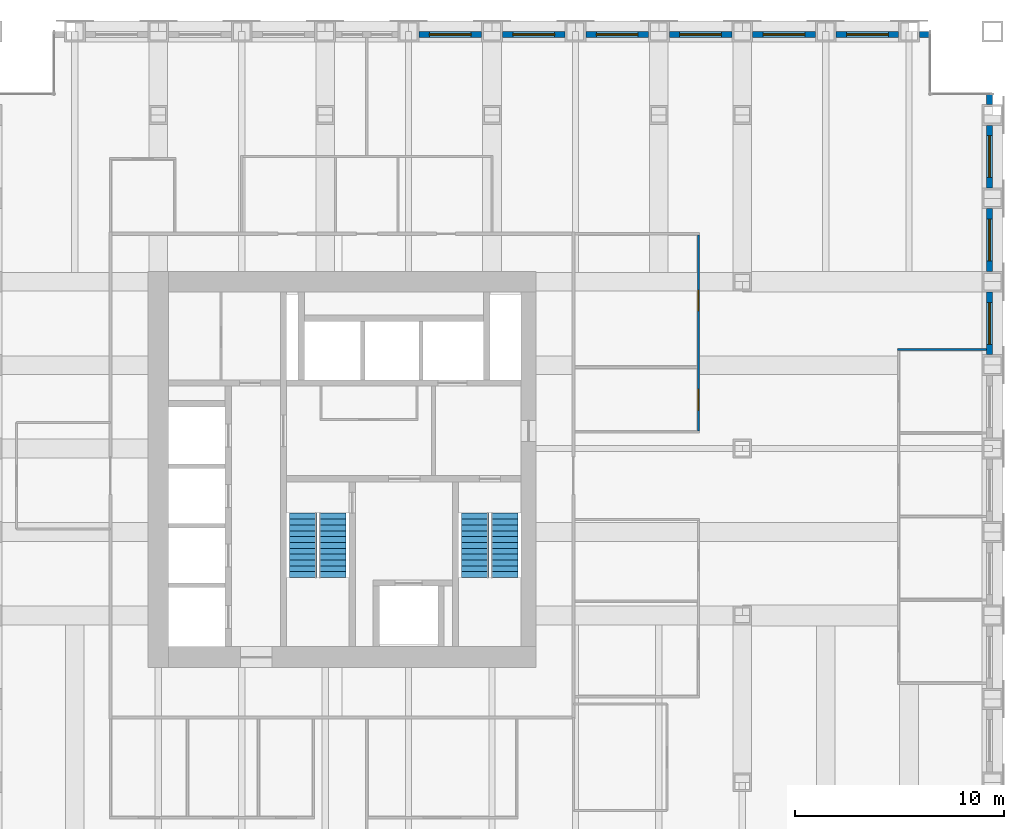
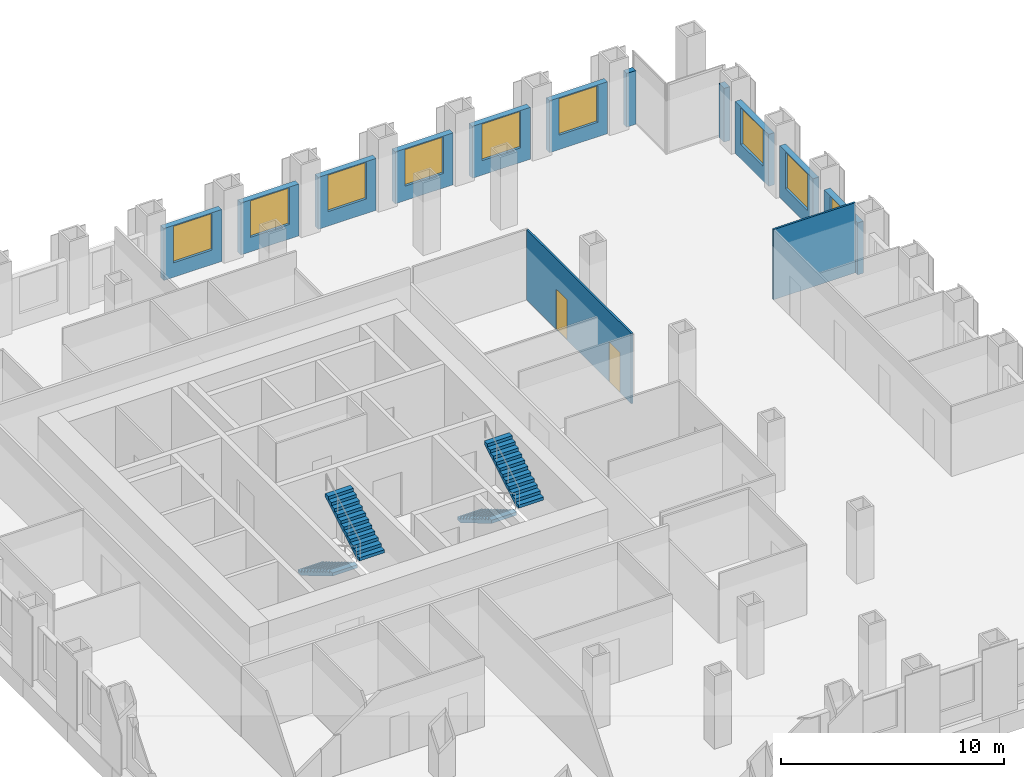
# One storey, part 14 of 16: 13 walls, 9 windows, 4 stair flights, 2 doors, 11 openings, 2 elements without a shape of their own.
"""IFC4 building model written with IfcOpenShell, lengths in metres."""

from ifc_helpers import new_model, si_unit, direction, frame, frame_2d, origin, place, context, subcontext, project, spatial, polyline, rectangle, outline, extrude, material, layer, layer_set, type_object, element, fill, aggregate, save


model = new_model("IFC4")

# Units and contexts
model_context = context("Model", 3, precision=1e-05, world=origin(), true_north=direction((0.0, 1.0)))
body_context = subcontext(model_context, "Body", "Model", "MODEL_VIEW")
ifc_project = project(units=[si_unit("LENGTHUNIT", "METRE"), si_unit("AREAUNIT", "SQUARE_METRE"), si_unit("VOLUMEUNIT", "CUBIC_METRE"), si_unit("PLANEANGLEUNIT", "RADIAN"), si_unit("MASSUNIT", "GRAM", prefix="KILO")], contexts=[model_context])

# Site, building, storey
site_placement = place(None, origin())
site = spatial("IfcSite", under=ifc_project, at=site_placement, CompositionType="ELEMENT")
building_placement = place(site_placement, origin())
building = spatial("IfcBuilding", under=site, at=building_placement, Name="Rimbunsela Tower", CompositionType="ELEMENT")
storey_placement = place(building_placement, frame((0.0, 0.0, 81.39990234375)))
storey = spatial("IfcBuildingStorey", under=building, at=storey_placement, Name="L19", CompositionType="ELEMENT", Elevation=81.39990234375)

# Wall
ifc_material_1 = material(Name="Gypsum board on steel studs", Category="steel")
ifc_layer_1 = layer(ifc_material_1, 0.10009765625)
ifc_layer_set_1 = layer_set([ifc_layer_1], Name="Office partition 100")
wall_type_1 = type_object("IfcWallType", Name="Office partition 100", PredefinedType="PARTITIONING", material=ifc_layer_set_1)
wall_1_placement = place(storey_placement, frame((53.449951171875, 32.75, 0.0), z_axis=(0.0, 0.0, 1.0), x_axis=(1.0, 0.0, 0.0)))
element("IfcWall", 1, at=wall_1_placement, inside=storey, type_object=wall_type_1, Name="Office partition", PredefinedType="PARTITIONING", context=body_context, shape_type="SweptSolid", body=[
    extrude(rectangle(XDim=4.25, YDim=0.10009765625, at=frame_2d((2.125, 0.0))), origin(), (0.0, 0.0, 1.0), 3.85009765625),
])

# Wall, openings, doors
wall_2_placement = place(storey_placement, frame((43.89990234375, 28.85009765625, 0.0), z_axis=(0.0, 0.0, 1.0), x_axis=(0.0, 1.0, 0.0)))
wall_2 = element("IfcWall", 2, at=wall_2_placement, inside=storey, type_object=wall_type_1, Name="Office partition", PredefinedType="PARTITIONING", context=body_context, shape_type="SweptSolid", body=[
    extrude(rectangle(XDim=9.39990234375, YDim=0.10009765625, at=frame_2d((4.699951171875, 0.0))), origin(), (0.0, 0.0, 1.0), 3.85009765625),
])
opening_1_placement = place(wall_2_placement, frame((1.0, 0.0, 0.0)))
opening_1 = element("IfcOpeningElement", 3, at=opening_1_placement, cuts=wall_2, Name="Opening D16", PredefinedType="OPENING", context=body_context, shape_type="SweptSolid", body=[
    extrude(rectangle(XDim=1.0, YDim=2.199951171875, at=frame_2d((0.5, 1.10009765625))), frame((0.0, 0.06005859375, 0.0), z_axis=(0.0, -1.0, 0.0), x_axis=(1.0, 0.0, 0.0)), (0.0, 0.0, 1.0), 0.1201171875),
])
opening_2_placement = place(wall_2_placement, frame((5.75, 0.0, 0.0)))
opening_2 = element("IfcOpeningElement", 4, at=opening_2_placement, cuts=wall_2, Name="Opening D17", PredefinedType="OPENING", context=body_context, shape_type="SweptSolid", body=[
    extrude(rectangle(XDim=1.0, YDim=2.199951171875, at=frame_2d((0.5, 1.10009765625))), frame((0.0, 0.06005859375, 0.0), z_axis=(0.0, -1.0, 0.0), x_axis=(1.0, 0.0, 0.0)), (0.0, 0.0, 1.0), 0.1201171875),
])
ifc_material_2 = material(Name="Glazed aluminium door", Category="aluminium")
door_type_1 = type_object("IfcDoorType", Name="Meeting room door 1000 glazed", OperationType="SINGLE_SWING_RIGHT", PredefinedType="DOOR", material=ifc_material_2)
door_1_placement = place(opening_2_placement, origin())
door_1 = element("IfcDoor", 5, at=door_1_placement, inside=storey, type_object=door_type_1, Name="Meeting room door", OperationType="SINGLE_SWING_RIGHT", OverallHeight=2.199951171875, OverallWidth=1.0, PredefinedType="DOOR", context=body_context, shape_type="SweptSolid", body=[
    extrude(rectangle(XDim=1.0, YDim=2.199951171875, at=frame_2d((0.5, 1.10009765625))), frame((0.0, 0.02490234375, 0.0), z_axis=(0.0, -1.0, 0.0), x_axis=(1.0, 0.0, 0.0)), (0.0, 0.0, 1.0), 0.050048828125),
])
fill(opening_2, door_1)
ifc_material_3 = material(Name="Timber door", Category="wood")
door_type_2 = type_object("IfcDoorType", Name="Office door 1000", OperationType="SINGLE_SWING_LEFT", PredefinedType="DOOR", material=ifc_material_3)
door_2_placement = place(opening_1_placement, origin())
door_2 = element("IfcDoor", 6, at=door_2_placement, inside=storey, type_object=door_type_2, Name="Office door", OperationType="SINGLE_SWING_LEFT", OverallHeight=2.199951171875, OverallWidth=1.0, PredefinedType="DOOR", context=body_context, shape_type="SweptSolid", body=[
    extrude(rectangle(XDim=1.0, YDim=2.199951171875, at=frame_2d((0.5, 1.10009765625))), frame((0.0, 0.02490234375, 0.0), z_axis=(0.0, -1.0, 0.0), x_axis=(1.0, 0.0, 0.0)), (0.0, 0.0, 1.0), 0.050048828125),
])
fill(opening_1, door_2)

# Wall, opening, window
ifc_material_4 = material(Name="Precast concrete fc' 35 MPa", Category="concrete")
ifc_layer_2 = layer(ifc_material_4, 0.300048828125)
ifc_layer_set_2 = layer_set([ifc_layer_2], Name="Precast concrete fc' 35 MPa")
wall_type_2 = type_object("IfcWallType", Name="Precast facade panel 300", PredefinedType="ELEMENTEDWALL", material=ifc_layer_set_2)
wall_3_placement = place(storey_placement, frame((57.85009765625, 32.5, 0.0), z_axis=(0.0, 0.0, 1.0), x_axis=(0.0, 1.0, 0.0)))
wall_3 = element("IfcWall", 7, at=wall_3_placement, inside=storey, type_object=wall_type_2, Name="Facade panel E L19", PredefinedType="ELEMENTEDWALL", context=body_context, shape_type="SweptSolid", body=[
    extrude(rectangle(XDim=3.0, YDim=0.300048828125, at=frame_2d((1.5, 0.0))), origin(), (0.0, 0.0, 1.0), 2.85009765625),
])
opening_3_placement = place(wall_3_placement, frame((0.5, 0.0, 0.800048828125)))
opening_3 = element("IfcOpeningElement", 8, at=opening_3_placement, cuts=wall_3, Name="Opening W1", PredefinedType="OPENING", context=body_context, shape_type="SweptSolid", body=[
    extrude(rectangle(XDim=2.0, YDim=2.0, at=frame_2d((1.0, 1.0))), frame((0.0, 0.159912109375, 0.0), z_axis=(0.0, -1.0, 0.0), x_axis=(1.0, 0.0, 0.0)), (0.0, 0.0, 1.0), 0.320068359375),
])
ifc_material_5 = material(Name="Clear glass in aluminium frame", Category="aluminium")
window_type = type_object("IfcWindowType", Name="Window W1 2000x2000", PartitioningType="DOUBLE_PANEL_VERTICAL", PredefinedType="WINDOW", material=ifc_material_5)
window_1_placement = place(opening_3_placement, origin())
window_1 = element("IfcWindow", 9, at=window_1_placement, inside=storey, type_object=window_type, Name="Window L19", OverallHeight=2.0, OverallWidth=2.0, PartitioningType="SINGLE_PANEL", PredefinedType="WINDOW", context=body_context, shape_type="SweptSolid", body=[
    extrude(rectangle(XDim=2.0, YDim=2.0, at=frame_2d((1.0, 1.0))), frame((0.0, 0.030029296875, 0.0), z_axis=(0.0, -1.0, 0.0), x_axis=(1.0, 0.0, 0.0)), (0.0, 0.0, 1.0), 0.06005859375),
])
fill(opening_3, window_1)

wall_4_placement = place(storey_placement, frame((57.85009765625, 36.5, 0.0), z_axis=(0.0, 0.0, 1.0), x_axis=(0.0, 1.0, 0.0)))
wall_4 = element("IfcWall", 10, at=wall_4_placement, inside=storey, type_object=wall_type_2, Name="Facade panel E L19", PredefinedType="ELEMENTEDWALL", context=body_context, shape_type="SweptSolid", body=[
    extrude(rectangle(XDim=3.0, YDim=0.300048828125, at=frame_2d((1.5, 0.0))), origin(), (0.0, 0.0, 1.0), 2.85009765625),
])
opening_4_placement = place(wall_4_placement, frame((0.5, 0.0, 0.800048828125)))
opening_4 = element("IfcOpeningElement", 11, at=opening_4_placement, cuts=wall_4, Name="Opening W1", PredefinedType="OPENING", context=body_context, shape_type="SweptSolid", body=[
    extrude(rectangle(XDim=2.0, YDim=2.0, at=frame_2d((1.0, 1.0))), frame((0.0, 0.159912109375, 0.0), z_axis=(0.0, -1.0, 0.0), x_axis=(1.0, 0.0, 0.0)), (0.0, 0.0, 1.0), 0.320068359375),
])
window_2_placement = place(opening_4_placement, origin())
window_2 = element("IfcWindow", 12, at=window_2_placement, inside=storey, type_object=window_type, Name="Window L19", OverallHeight=2.0, OverallWidth=2.0, PartitioningType="SINGLE_PANEL", PredefinedType="WINDOW", context=body_context, shape_type="SweptSolid", body=[
    extrude(rectangle(XDim=2.0, YDim=2.0, at=frame_2d((1.0, 1.0))), frame((0.0, 0.030029296875, 0.0), z_axis=(0.0, -1.0, 0.0), x_axis=(1.0, 0.0, 0.0)), (0.0, 0.0, 1.0), 0.06005859375),
])
fill(opening_4, window_2)

wall_5_placement = place(storey_placement, frame((57.85009765625, 40.5, 0.0), z_axis=(0.0, 0.0, 1.0), x_axis=(0.0, 1.0, 0.0)))
wall_5 = element("IfcWall", 13, at=wall_5_placement, inside=storey, type_object=wall_type_2, Name="Facade panel E L19", PredefinedType="ELEMENTEDWALL", context=body_context, shape_type="SweptSolid", body=[
    extrude(rectangle(XDim=3.0, YDim=0.300048828125, at=frame_2d((1.5, 0.0))), origin(), (0.0, 0.0, 1.0), 2.85009765625),
])
opening_5_placement = place(wall_5_placement, frame((0.5, 0.0, 0.800048828125)))
opening_5 = element("IfcOpeningElement", 14, at=opening_5_placement, cuts=wall_5, Name="Opening W1", PredefinedType="OPENING", context=body_context, shape_type="SweptSolid", body=[
    extrude(rectangle(XDim=2.0, YDim=2.0, at=frame_2d((1.0, 1.0))), frame((0.0, 0.159912109375, 0.0), z_axis=(0.0, -1.0, 0.0), x_axis=(1.0, 0.0, 0.0)), (0.0, 0.0, 1.0), 0.320068359375),
])
window_3_placement = place(opening_5_placement, origin())
window_3 = element("IfcWindow", 15, at=window_3_placement, inside=storey, type_object=window_type, Name="Window L19", OverallHeight=2.0, OverallWidth=2.0, PartitioningType="SINGLE_PANEL", PredefinedType="WINDOW", context=body_context, shape_type="SweptSolid", body=[
    extrude(rectangle(XDim=2.0, YDim=2.0, at=frame_2d((1.0, 1.0))), frame((0.0, 0.030029296875, 0.0), z_axis=(0.0, -1.0, 0.0), x_axis=(1.0, 0.0, 0.0)), (0.0, 0.0, 1.0), 0.06005859375),
])
fill(opening_5, window_3)

# Wall
wall_6_placement = place(storey_placement, frame((57.85009765625, 44.5, 0.0), z_axis=(0.0, 0.0, 1.0), x_axis=(0.0, 1.0, 0.0)))
element("IfcWall", 16, at=wall_6_placement, inside=storey, type_object=wall_type_2, Name="Facade panel E L19", PredefinedType="ELEMENTEDWALL", context=body_context, shape_type="SweptSolid", body=[
    extrude(rectangle(XDim=0.469970703125, YDim=0.300048828125, at=frame_2d((0.23486328125, 0.0))), origin(), (0.0, 0.0, 1.0), 2.9501953125),
])

# Wall, opening, window
wall_7_placement = place(storey_placement, frame((33.5, 47.85009765625, 0.0), z_axis=(0.0, 0.0, 1.0), x_axis=(-1.0, 0.0, 0.0)))
wall_7 = element("IfcWall", 17, at=wall_7_placement, inside=storey, type_object=wall_type_2, Name="Facade panel N L19", PredefinedType="ELEMENTEDWALL", context=body_context, shape_type="SweptSolid", body=[
    extrude(rectangle(XDim=3.0, YDim=0.300048828125, at=frame_2d((1.5, 0.0))), origin(), (0.0, 0.0, 1.0), 2.85009765625),
])
opening_6_placement = place(wall_7_placement, frame((0.5, 0.0, 0.800048828125)))
opening_6 = element("IfcOpeningElement", 18, at=opening_6_placement, cuts=wall_7, Name="Opening W1", PredefinedType="OPENING", context=body_context, shape_type="SweptSolid", body=[
    extrude(rectangle(XDim=2.0, YDim=2.0, at=frame_2d((1.0, 1.0))), frame((0.0, 0.159912109375, 0.0), z_axis=(0.0, -1.0, 0.0), x_axis=(1.0, 0.0, 0.0)), (0.0, 0.0, 1.0), 0.320068359375),
])
window_4_placement = place(opening_6_placement, origin())
window_4 = element("IfcWindow", 19, at=window_4_placement, inside=storey, type_object=window_type, Name="Window L19", OverallHeight=2.0, OverallWidth=2.0, PartitioningType="SINGLE_PANEL", PredefinedType="WINDOW", context=body_context, shape_type="SweptSolid", body=[
    extrude(rectangle(XDim=2.0, YDim=2.0, at=frame_2d((1.0, 1.0))), frame((0.0, 0.030029296875, 0.0), z_axis=(0.0, -1.0, 0.0), x_axis=(1.0, 0.0, 0.0)), (0.0, 0.0, 1.0), 0.06005859375),
])
fill(opening_6, window_4)

wall_8_placement = place(storey_placement, frame((37.5, 47.85009765625, 0.0), z_axis=(0.0, 0.0, 1.0), x_axis=(-1.0, 0.0, 0.0)))
wall_8 = element("IfcWall", 20, at=wall_8_placement, inside=storey, type_object=wall_type_2, Name="Facade panel N L19", PredefinedType="ELEMENTEDWALL", context=body_context, shape_type="SweptSolid", body=[
    extrude(rectangle(XDim=3.0, YDim=0.300048828125, at=frame_2d((1.5, 0.0))), origin(), (0.0, 0.0, 1.0), 2.85009765625),
])
opening_7_placement = place(wall_8_placement, frame((0.5, 0.0, 0.800048828125)))
opening_7 = element("IfcOpeningElement", 21, at=opening_7_placement, cuts=wall_8, Name="Opening W1", PredefinedType="OPENING", context=body_context, shape_type="SweptSolid", body=[
    extrude(rectangle(XDim=2.0, YDim=2.0, at=frame_2d((1.0, 1.0))), frame((0.0, 0.159912109375, 0.0), z_axis=(0.0, -1.0, 0.0), x_axis=(1.0, 0.0, 0.0)), (0.0, 0.0, 1.0), 0.320068359375),
])
window_5_placement = place(opening_7_placement, origin())
window_5 = element("IfcWindow", 22, at=window_5_placement, inside=storey, type_object=window_type, Name="Window L19", OverallHeight=2.0, OverallWidth=2.0, PartitioningType="SINGLE_PANEL", PredefinedType="WINDOW", context=body_context, shape_type="SweptSolid", body=[
    extrude(rectangle(XDim=2.0, YDim=2.0, at=frame_2d((1.0, 1.0))), frame((0.0, 0.030029296875, 0.0), z_axis=(0.0, -1.0, 0.0), x_axis=(1.0, 0.0, 0.0)), (0.0, 0.0, 1.0), 0.06005859375),
])
fill(opening_7, window_5)

wall_9_placement = place(storey_placement, frame((41.5, 47.85009765625, 0.0), z_axis=(0.0, 0.0, 1.0), x_axis=(-1.0, 0.0, 0.0)))
wall_9 = element("IfcWall", 23, at=wall_9_placement, inside=storey, type_object=wall_type_2, Name="Facade panel N L19", PredefinedType="ELEMENTEDWALL", context=body_context, shape_type="SweptSolid", body=[
    extrude(rectangle(XDim=3.0, YDim=0.300048828125, at=frame_2d((1.5, 0.0))), origin(), (0.0, 0.0, 1.0), 2.85009765625),
])
opening_8_placement = place(wall_9_placement, frame((0.5, 0.0, 0.800048828125)))
opening_8 = element("IfcOpeningElement", 24, at=opening_8_placement, cuts=wall_9, Name="Opening W1", PredefinedType="OPENING", context=body_context, shape_type="SweptSolid", body=[
    extrude(rectangle(XDim=2.0, YDim=2.0, at=frame_2d((1.0, 1.0))), frame((0.0, 0.159912109375, 0.0), z_axis=(0.0, -1.0, 0.0), x_axis=(1.0, 0.0, 0.0)), (0.0, 0.0, 1.0), 0.320068359375),
])
window_6_placement = place(opening_8_placement, origin())
window_6 = element("IfcWindow", 25, at=window_6_placement, inside=storey, type_object=window_type, Name="Window L19", OverallHeight=2.0, OverallWidth=2.0, PartitioningType="SINGLE_PANEL", PredefinedType="WINDOW", context=body_context, shape_type="SweptSolid", body=[
    extrude(rectangle(XDim=2.0, YDim=2.0, at=frame_2d((1.0, 1.0))), frame((0.0, 0.030029296875, 0.0), z_axis=(0.0, -1.0, 0.0), x_axis=(1.0, 0.0, 0.0)), (0.0, 0.0, 1.0), 0.06005859375),
])
fill(opening_8, window_6)

wall_10_placement = place(storey_placement, frame((45.5, 47.85009765625, 0.0), z_axis=(0.0, 0.0, 1.0), x_axis=(-1.0, 0.0, 0.0)))
wall_10 = element("IfcWall", 26, at=wall_10_placement, inside=storey, type_object=wall_type_2, Name="Facade panel N L19", PredefinedType="ELEMENTEDWALL", context=body_context, shape_type="SweptSolid", body=[
    extrude(rectangle(XDim=3.0, YDim=0.300048828125, at=frame_2d((1.5, 0.0))), origin(), (0.0, 0.0, 1.0), 2.85009765625),
])
opening_9_placement = place(wall_10_placement, frame((0.5, 0.0, 0.800048828125)))
opening_9 = element("IfcOpeningElement", 27, at=opening_9_placement, cuts=wall_10, Name="Opening W1", PredefinedType="OPENING", context=body_context, shape_type="SweptSolid", body=[
    extrude(rectangle(XDim=2.0, YDim=2.0, at=frame_2d((1.0, 1.0))), frame((0.0, 0.159912109375, 0.0), z_axis=(0.0, -1.0, 0.0), x_axis=(1.0, 0.0, 0.0)), (0.0, 0.0, 1.0), 0.320068359375),
])
window_7_placement = place(opening_9_placement, origin())
window_7 = element("IfcWindow", 28, at=window_7_placement, inside=storey, type_object=window_type, Name="Window L19", OverallHeight=2.0, OverallWidth=2.0, PartitioningType="SINGLE_PANEL", PredefinedType="WINDOW", context=body_context, shape_type="SweptSolid", body=[
    extrude(rectangle(XDim=2.0, YDim=2.0, at=frame_2d((1.0, 1.0))), frame((0.0, 0.030029296875, 0.0), z_axis=(0.0, -1.0, 0.0), x_axis=(1.0, 0.0, 0.0)), (0.0, 0.0, 1.0), 0.06005859375),
])
fill(opening_9, window_7)

wall_11_placement = place(storey_placement, frame((49.5, 47.85009765625, 0.0), z_axis=(0.0, 0.0, 1.0), x_axis=(-1.0, 0.0, 0.0)))
wall_11 = element("IfcWall", 29, at=wall_11_placement, inside=storey, type_object=wall_type_2, Name="Facade panel N L19", PredefinedType="ELEMENTEDWALL", context=body_context, shape_type="SweptSolid", body=[
    extrude(rectangle(XDim=3.0, YDim=0.300048828125, at=frame_2d((1.5, 0.0))), origin(), (0.0, 0.0, 1.0), 2.85009765625),
])
opening_10_placement = place(wall_11_placement, frame((0.5, 0.0, 0.800048828125)))
opening_10 = element("IfcOpeningElement", 30, at=opening_10_placement, cuts=wall_11, Name="Opening W1", PredefinedType="OPENING", context=body_context, shape_type="SweptSolid", body=[
    extrude(rectangle(XDim=2.0, YDim=2.0, at=frame_2d((1.0, 1.0))), frame((0.0, 0.159912109375, 0.0), z_axis=(0.0, -1.0, 0.0), x_axis=(1.0, 0.0, 0.0)), (0.0, 0.0, 1.0), 0.320068359375),
])
window_8_placement = place(opening_10_placement, origin())
window_8 = element("IfcWindow", 31, at=window_8_placement, inside=storey, type_object=window_type, Name="Window L19", OverallHeight=2.0, OverallWidth=2.0, PartitioningType="SINGLE_PANEL", PredefinedType="WINDOW", context=body_context, shape_type="SweptSolid", body=[
    extrude(rectangle(XDim=2.0, YDim=2.0, at=frame_2d((1.0, 1.0))), frame((0.0, 0.030029296875, 0.0), z_axis=(0.0, -1.0, 0.0), x_axis=(1.0, 0.0, 0.0)), (0.0, 0.0, 1.0), 0.06005859375),
])
fill(opening_10, window_8)

wall_12_placement = place(storey_placement, frame((53.5, 47.85009765625, 0.0), z_axis=(0.0, 0.0, 1.0), x_axis=(-1.0, 0.0, 0.0)))
wall_12 = element("IfcWall", 32, at=wall_12_placement, inside=storey, type_object=wall_type_2, Name="Facade panel N L19", PredefinedType="ELEMENTEDWALL", context=body_context, shape_type="SweptSolid", body=[
    extrude(rectangle(XDim=3.0, YDim=0.300048828125, at=frame_2d((1.5, 0.0))), origin(), (0.0, 0.0, 1.0), 2.85009765625),
])
opening_11_placement = place(wall_12_placement, frame((0.5, 0.0, 0.800048828125)))
opening_11 = element("IfcOpeningElement", 33, at=opening_11_placement, cuts=wall_12, Name="Opening W1", PredefinedType="OPENING", context=body_context, shape_type="SweptSolid", body=[
    extrude(rectangle(XDim=2.0, YDim=2.0, at=frame_2d((1.0, 1.0))), frame((0.0, 0.159912109375, 0.0), z_axis=(0.0, -1.0, 0.0), x_axis=(1.0, 0.0, 0.0)), (0.0, 0.0, 1.0), 0.320068359375),
])
window_9_placement = place(opening_11_placement, origin())
window_9 = element("IfcWindow", 34, at=window_9_placement, inside=storey, type_object=window_type, Name="Window L19", OverallHeight=2.0, OverallWidth=2.0, PartitioningType="SINGLE_PANEL", PredefinedType="WINDOW", context=body_context, shape_type="SweptSolid", body=[
    extrude(rectangle(XDim=2.0, YDim=2.0, at=frame_2d((1.0, 1.0))), frame((0.0, 0.030029296875, 0.0), z_axis=(0.0, -1.0, 0.0), x_axis=(1.0, 0.0, 0.0)), (0.0, 0.0, 1.0), 0.06005859375),
])
fill(opening_11, window_9)

# Wall
wall_13_placement = place(storey_placement, frame((54.969970703125, 47.85009765625, 0.0), z_axis=(0.0, 0.0, 1.0), x_axis=(-1.0, 0.0, 0.0)))
element("IfcWall", 35, at=wall_13_placement, inside=storey, type_object=wall_type_2, Name="Facade panel N L19", PredefinedType="ELEMENTEDWALL", context=body_context, shape_type="SweptSolid", body=[
    extrude(rectangle(XDim=0.469970703125, YDim=0.300048828125, at=frame_2d((0.23486328125, 0.0))), origin(), (0.0, 0.0, 1.0), 2.9501953125),
])

# Stair, stair flights
ifc_material_6 = material(Name="Concrete fc' 35 MPa", Category="concrete")
stair_type = type_object("IfcStairType", Name="Exit stair 24 risers", PredefinedType="HALF_TURN_STAIR", material=ifc_material_6)
stair_1_placement = place(storey_placement, origin())
stair_1 = element("IfcStair", 36, at=stair_1_placement, inside=storey, type_object=stair_type, Name="Exit stair A L19", PredefinedType="HALF_TURN_STAIR")
ifc_material_7 = material(Name="Concrete fc' 35 MPa", Category="concrete")
stair_flight_type = type_object("IfcStairFlightType", Name="Stair flight 12 risers 167", PredefinedType="STRAIGHT", material=ifc_material_7)
stair_flight_1_placement = place(storey_placement, frame((24.949951171875, 24.89990234375, 0.0), z_axis=(0.0, 0.0, 1.0), x_axis=(0.0, -1.0, 0.0)))
stair_flight_1 = element("IfcStairFlight", 37, at=stair_flight_1_placement, type_object=stair_flight_type, Name="ST-A flight 1", NumberOfRisers=12, NumberOfTreads=11, PredefinedType="STRAIGHT", RiserHeight=0.166666667, TreadLength=0.28, context=body_context, shape_type="SweptSolid", body=[
    extrude(outline(polyline([(0.0, 0.0), (0.0, 0.166748046875), (0.280029296875, 0.166748046875), (0.280029296875, 0.333251953125), (0.56005859375, 0.333251953125), (0.56005859375, 0.5), (0.840087890625, 0.5), (0.840087890625, 0.666748046875), (1.1201171875, 0.666748046875), (1.1201171875, 0.833251953125), (1.39990234375, 0.833251953125), (1.39990234375, 1.0), (1.679931640625, 1.0), (1.679931640625, 1.166748046875), (1.9599609375, 1.166748046875), (1.9599609375, 1.333251953125), (2.239990234375, 1.333251953125), (2.239990234375, 1.5), (2.52001953125, 1.5), (2.52001953125, 1.666748046875), (2.800048828125, 1.666748046875), (2.800048828125, 1.833251953125), (3.080078125, 1.833251953125), (3.080078125, 2.0), (3.080078125, 1.658935546875), (0.29296875, 0.0), (0.0, 0.0)])), frame((0.0, 0.64990234375, 0.0), z_axis=(0.0, -1.0, 0.0), x_axis=(1.0, 0.0, 0.0)), (0.0, 0.0, 1.0), 1.300048828125),
])
stair_flight_2_placement = place(storey_placement, frame((26.35009765625, 21.820068359375, 2.0), z_axis=(0.0, 0.0, 1.0), x_axis=(0.0, 1.0, 0.0)))
stair_flight_2 = element("IfcStairFlight", 38, at=stair_flight_2_placement, type_object=stair_flight_type, Name="ST-A flight 2", NumberOfRisers=12, NumberOfTreads=11, PredefinedType="STRAIGHT", RiserHeight=0.166666667, TreadLength=0.28, context=body_context, shape_type="SweptSolid", body=[
    extrude(outline(polyline([(0.0, 0.0), (0.0, 0.166748046875), (0.280029296875, 0.166748046875), (0.280029296875, 0.333251953125), (0.56005859375, 0.333251953125), (0.56005859375, 0.5), (0.840087890625, 0.5), (0.840087890625, 0.666748046875), (1.1201171875, 0.666748046875), (1.1201171875, 0.833251953125), (1.39990234375, 0.833251953125), (1.39990234375, 1.0), (1.679931640625, 1.0), (1.679931640625, 1.166748046875), (1.9599609375, 1.166748046875), (1.9599609375, 1.333251953125), (2.239990234375, 1.333251953125), (2.239990234375, 1.5), (2.52001953125, 1.5), (2.52001953125, 1.666748046875), (2.800048828125, 1.666748046875), (2.800048828125, 1.833251953125), (3.080078125, 1.833251953125), (3.080078125, 2.0), (3.080078125, 1.658935546875), (0.29296875, 0.0), (0.0, 0.0)])), frame((0.0, 0.64990234375, 0.0), z_axis=(0.0, -1.0, 0.0), x_axis=(1.0, 0.0, 0.0)), (0.0, 0.0, 1.0), 1.300048828125),
])
aggregate(stair_1, [stair_flight_1, stair_flight_2])

stair_2_placement = place(storey_placement, origin())
stair_2 = element("IfcStair", 39, at=stair_2_placement, inside=storey, type_object=stair_type, Name="Exit stair B L19", PredefinedType="HALF_TURN_STAIR")
stair_flight_3_placement = place(storey_placement, frame((33.199951171875, 24.89990234375, 0.0), z_axis=(0.0, 0.0, 1.0), x_axis=(0.0, -1.0, 0.0)))
stair_flight_3 = element("IfcStairFlight", 40, at=stair_flight_3_placement, type_object=stair_flight_type, Name="ST-B flight 1", NumberOfRisers=12, NumberOfTreads=11, PredefinedType="STRAIGHT", RiserHeight=0.166666667, TreadLength=0.28, context=body_context, shape_type="SweptSolid", body=[
    extrude(outline(polyline([(0.0, 0.0), (0.0, 0.166748046875), (0.280029296875, 0.166748046875), (0.280029296875, 0.333251953125), (0.56005859375, 0.333251953125), (0.56005859375, 0.5), (0.840087890625, 0.5), (0.840087890625, 0.666748046875), (1.1201171875, 0.666748046875), (1.1201171875, 0.833251953125), (1.39990234375, 0.833251953125), (1.39990234375, 1.0), (1.679931640625, 1.0), (1.679931640625, 1.166748046875), (1.9599609375, 1.166748046875), (1.9599609375, 1.333251953125), (2.239990234375, 1.333251953125), (2.239990234375, 1.5), (2.52001953125, 1.5), (2.52001953125, 1.666748046875), (2.800048828125, 1.666748046875), (2.800048828125, 1.833251953125), (3.080078125, 1.833251953125), (3.080078125, 2.0), (3.080078125, 1.658935546875), (0.29296875, 0.0), (0.0, 0.0)])), frame((0.0, 0.64990234375, 0.0), z_axis=(0.0, -1.0, 0.0), x_axis=(1.0, 0.0, 0.0)), (0.0, 0.0, 1.0), 1.300048828125),
])
stair_flight_4_placement = place(storey_placement, frame((34.60009765625, 21.820068359375, 2.0), z_axis=(0.0, 0.0, 1.0), x_axis=(0.0, 1.0, 0.0)))
stair_flight_4 = element("IfcStairFlight", 41, at=stair_flight_4_placement, type_object=stair_flight_type, Name="ST-B flight 2", NumberOfRisers=12, NumberOfTreads=11, PredefinedType="STRAIGHT", RiserHeight=0.166666667, TreadLength=0.28, context=body_context, shape_type="SweptSolid", body=[
    extrude(outline(polyline([(0.0, 0.0), (0.0, 0.166748046875), (0.280029296875, 0.166748046875), (0.280029296875, 0.333251953125), (0.56005859375, 0.333251953125), (0.56005859375, 0.5), (0.840087890625, 0.5), (0.840087890625, 0.666748046875), (1.1201171875, 0.666748046875), (1.1201171875, 0.833251953125), (1.39990234375, 0.833251953125), (1.39990234375, 1.0), (1.679931640625, 1.0), (1.679931640625, 1.166748046875), (1.9599609375, 1.166748046875), (1.9599609375, 1.333251953125), (2.239990234375, 1.333251953125), (2.239990234375, 1.5), (2.52001953125, 1.5), (2.52001953125, 1.666748046875), (2.800048828125, 1.666748046875), (2.800048828125, 1.833251953125), (3.080078125, 1.833251953125), (3.080078125, 2.0), (3.080078125, 1.658935546875), (0.29296875, 0.0), (0.0, 0.0)])), frame((0.0, 0.64990234375, 0.0), z_axis=(0.0, -1.0, 0.0), x_axis=(1.0, 0.0, 0.0)), (0.0, 0.0, 1.0), 1.300048828125),
])
aggregate(stair_2, [stair_flight_3, stair_flight_4])

save(model, "model.ifc")
